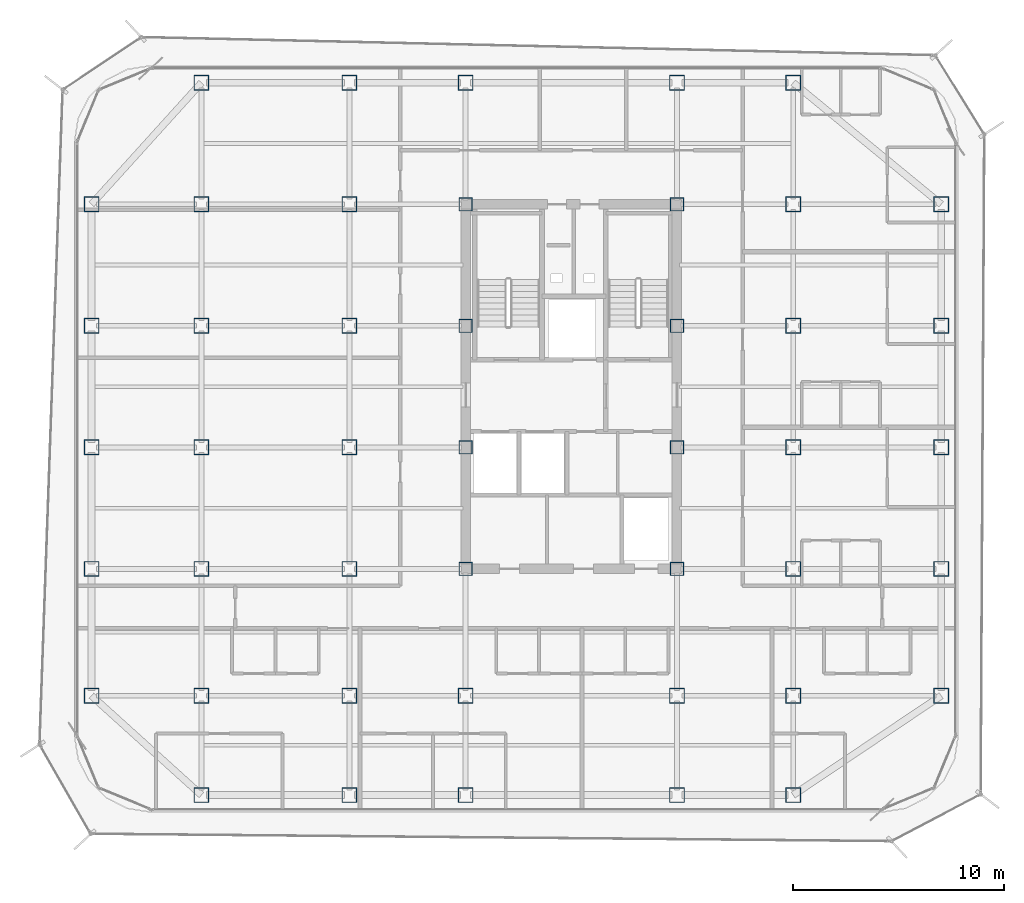
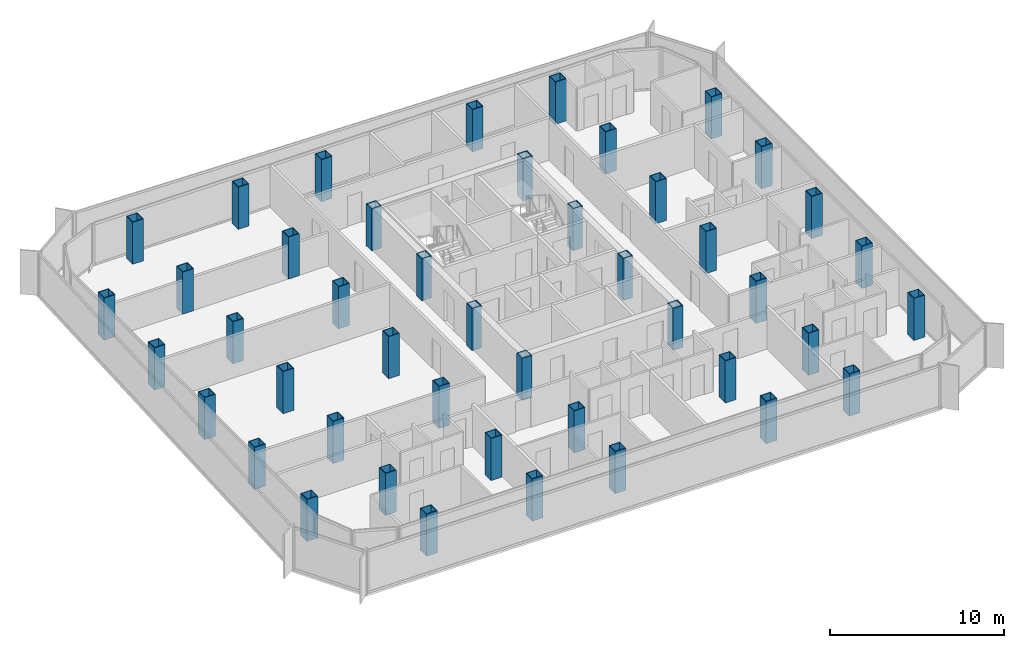
# One storey, part 1 of 16: 45 columns.
"""IFC4 building model written with IfcOpenShell, lengths in metres."""

from ifc_helpers import new_model, si_unit, direction, frame, origin, origin_2d, place, context, subcontext, project, spatial, hollow_rectangle, extrude, source, transform, mapped, material, material_profile, profile_set, type_object, element, save


model = new_model("IFC4")

# Units and contexts
model_context = context("Model", 3, precision=1e-05, world=origin(), true_north=direction((0.0, 1.0)))
body_context = subcontext(model_context, "Body", "Model", "MODEL_VIEW")
ifc_project = project(units=[si_unit("LENGTHUNIT", "METRE"), si_unit("AREAUNIT", "SQUARE_METRE"), si_unit("VOLUMEUNIT", "CUBIC_METRE"), si_unit("PLANEANGLEUNIT", "RADIAN"), si_unit("MASSUNIT", "GRAM", prefix="KILO")], contexts=[model_context])

# Site, building, storey
site_placement = place(None, origin())
site = spatial("IfcSite", under=ifc_project, at=site_placement, CompositionType="ELEMENT")
building_placement = place(site_placement, origin())
building = spatial("IfcBuilding", under=site, at=building_placement, Name="Kolveth Station Tower", CompositionType="ELEMENT")
storey_placement = place(building_placement, frame((0.0, 0.0, 178.5)))
storey = spatial("IfcBuildingStorey", under=building, at=storey_placement, Name="L50", CompositionType="ELEMENT", Elevation=178.5)

# Columns
ifc_material = material(Name="Steel S355", Category="steel")
ifc_material_profile_1 = material_profile(ifc_material, hollow_rectangle(XDim=0.719970703125, YDim=0.719970703125, WallThickness=0.0400390625, at=origin_2d()), Name="BOX720x720x40")
ifc_profile_set_1 = profile_set([ifc_material_profile_1], Name="Steel S355")
column_type_1 = type_object("IfcColumnType", Name="Col_C6", PredefinedType="COLUMN", material=ifc_profile_set_1)
shared_shape_1 = source(origin(), body_context, "Body", "SweptSolid", [
    extrude(hollow_rectangle(XDim=0.719970703125, YDim=0.719970703125, WallThickness=0.0400390625, at=origin_2d()), origin(), (0.0, 0.0, 1.0), 2.949951171875),
])
for number, where, z_axis, x_axis, name in (
    (1, (6.0, 0.800048828125, 0.0), (0.0, 0.0, 1.0), (1.0, 0.0, 0.0), "L50 Tower Column S-X60"),
    (2, (6.0, 34.5, 0.0), (0.0, 0.0, 1.0), (1.0, 0.0, 0.0), "L50 Tower Column N-X60"),
    (3, (13.0, 0.800048828125, 0.0), (0.0, 0.0, 1.0), (1.0, 0.0, 0.0), "L50 Tower Column S-X130"),
    (4, (13.0, 34.5, 0.0), (0.0, 0.0, 1.0), (1.0, 0.0, 0.0), "L50 Tower Column N-X130"),
    (5, (18.5, 0.800048828125, 0.0), (0.0, 0.0, 1.0), (1.0, 0.0, 0.0), "L50 Tower Column S-X185"),
    (6, (18.5, 34.5, 0.0), (0.0, 0.0, 1.0), (1.0, 0.0, 0.0), "L50 Tower Column N-X185"),
    (7, (28.5, 0.800048828125, 0.0), (0.0, 0.0, 1.0), (1.0, 0.0, 0.0), "L50 Tower Column S-X285"),
    (8, (28.5, 34.5, 0.0), (0.0, 0.0, 1.0), (1.0, 0.0, 0.0), "L50 Tower Column N-X285"),
    (9, (34.0, 0.800048828125, 0.0), (0.0, 0.0, 1.0), (1.0, 0.0, 0.0), "L50 Tower Column S-X340"),
    (10, (34.0, 34.5, 0.0), (0.0, 0.0, 1.0), (1.0, 0.0, 0.0), "L50 Tower Column N-X340"),
    (11, (0.800048828125, 5.5, 0.0), (0.0, 0.0, 1.0), (1.0, 0.0, 0.0), "L50 Tower Column W-Y55"),
    (12, (41.0, 5.5, 0.0), (0.0, 0.0, 1.0), (1.0, 0.0, 0.0), "L50 Tower Column E-Y55"),
    (13, (0.800048828125, 11.5, 0.0), (0.0, 0.0, 1.0), (1.0, 0.0, 0.0), "L50 Tower Column W-Y115"),
    (14, (41.0, 11.5, 0.0), (0.0, 0.0, 1.0), (1.0, 0.0, 0.0), "L50 Tower Column E-Y115"),
    (15, (0.800048828125, 17.25, 0.0), (0.0, 0.0, 1.0), (1.0, 0.0, 0.0), "L50 Tower Column W-Y172"),
    (16, (41.0, 17.25, 0.0), (0.0, 0.0, 1.0), (1.0, 0.0, 0.0), "L50 Tower Column E-Y172"),
    (17, (0.800048828125, 23.0, 0.0), (0.0, 0.0, 1.0), (1.0, 0.0, 0.0), "L50 Tower Column W-Y230"),
    (18, (41.0, 23.0, 0.0), (0.0, 0.0, 1.0), (1.0, 0.0, 0.0), "L50 Tower Column E-Y230"),
    (19, (0.800048828125, 28.75, 0.0), (0.0, 0.0, 1.0), (1.0, 0.0, 0.0), "L50 Tower Column W-Y287"),
    (20, (41.0, 28.75, 0.0), (0.0, 0.0, 1.0), (1.0, 0.0, 0.0), "L50 Tower Column E-Y287"),
    (21, (6.0, 5.5, 0.0), (0.0, 0.0, 1.0), (1.0, 0.0, 0.0), "L50 Tower Column G-60-55"),
    (22, (6.0, 11.5, 0.0), (0.0, 0.0, 1.0), (1.0, 0.0, 0.0), "L50 Tower Column G-60-115"),
    (23, (6.0, 17.25, 0.0), (0.0, 0.0, 1.0), (1.0, 0.0, 0.0), "L50 Tower Column G-60-172"),
    (24, (6.0, 23.0, 0.0), (0.0, 0.0, 1.0), (1.0, 0.0, 0.0), "L50 Tower Column G-60-230"),
    (25, (6.0, 28.75, 0.0), (0.0, 0.0, 1.0), (1.0, 0.0, 0.0), "L50 Tower Column G-60-287"),
    (26, (13.0, 5.5, 0.0), (0.0, 0.0, 1.0), (1.0, 0.0, 0.0), "L50 Tower Column G-130-55"),
    (27, (13.0, 11.5, 0.0), (0.0, 0.0, 1.0), (1.0, 0.0, 0.0), "L50 Tower Column G-130-115"),
    (28, (13.0, 17.25, 0.0), (0.0, 0.0, 1.0), (1.0, 0.0, 0.0), "L50 Tower Column G-130-172"),
    (29, (13.0, 23.0, 0.0), (0.0, 0.0, 1.0), (1.0, 0.0, 0.0), "L50 Tower Column G-130-230"),
    (30, (13.0, 28.75, 0.0), (0.0, 0.0, 1.0), (1.0, 0.0, 0.0), "L50 Tower Column G-130-287"),
    (31, (18.5, 5.5, 0.0), (0.0, 0.0, 1.0), (1.0, 0.0, 0.0), "L50 Tower Column G-185-55"),
    (32, (28.5, 5.5, 0.0), (0.0, 0.0, 1.0), (1.0, 0.0, 0.0), "L50 Tower Column G-285-55"),
    (33, (34.0, 5.5, 0.0), (0.0, 0.0, 1.0), (1.0, 0.0, 0.0), "L50 Tower Column G-340-55"),
    (34, (34.0, 11.5, 0.0), (0.0, 0.0, 1.0), (1.0, 0.0, 0.0), "L50 Tower Column G-340-115"),
    (35, (34.0, 17.25, 0.0), (0.0, 0.0, 1.0), (1.0, 0.0, 0.0), "L50 Tower Column G-340-172"),
    (36, (34.0, 23.0, 0.0), (0.0, 0.0, 1.0), (1.0, 0.0, 0.0), "L50 Tower Column G-340-230"),
    (37, (34.0, 28.75, 0.0), (0.0, 0.0, 1.0), (1.0, 0.0, 0.0), "L50 Tower Column G-340-287"),
):
    element("IfcColumn", number, at=place(storey_placement, frame(where, z_axis=z_axis, x_axis=x_axis)), inside=storey, type_object=column_type_1, Name=name, PredefinedType="COLUMN", context=body_context, shape_type="MappedRepresentation", body=[
        mapped(shared_shape_1, transform((0.0, 0.0, 0.0), x_axis=(1.0, 0.0, 0.0), y_axis=(0.0, 1.0, 0.0), z_axis=(0.0, 0.0, 1.0), scale=1.0)),
    ])
ifc_material_profile_2 = material_profile(ifc_material, hollow_rectangle(XDim=0.639892578125, YDim=0.639892578125, WallThickness=0.034912109375, at=origin_2d()), Name="BOX640x640x35")
ifc_profile_set_2 = profile_set([ifc_material_profile_2], Name="Steel S355")
column_type_2 = type_object("IfcColumnType", Name="Col_C7", PredefinedType="COLUMN", material=ifc_profile_set_2)
shared_shape_2 = source(origin(), body_context, "Body", "SweptSolid", [
    extrude(hollow_rectangle(XDim=0.639892578125, YDim=0.639892578125, WallThickness=0.034912109375, at=origin_2d()), origin(), (0.0, 0.0, 1.0), 2.949951171875),
])
for number, where, z_axis, x_axis, name in (
    (38, (18.5, 11.5, 0.0), (0.0, 0.0, 1.0), (1.0, 0.0, 0.0), "L50 Tower Column G-185-115"),
    (39, (18.5, 17.25, 0.0), (0.0, 0.0, 1.0), (1.0, 0.0, 0.0), "L50 Tower Column G-185-172"),
    (40, (18.5, 23.0, 0.0), (0.0, 0.0, 1.0), (1.0, 0.0, 0.0), "L50 Tower Column G-185-230"),
    (41, (18.5, 28.75, 0.0), (0.0, 0.0, 1.0), (1.0, 0.0, 0.0), "L50 Tower Column G-185-287"),
    (42, (28.5, 11.5, 0.0), (0.0, 0.0, 1.0), (1.0, 0.0, 0.0), "L50 Tower Column G-285-115"),
    (43, (28.5, 17.25, 0.0), (0.0, 0.0, 1.0), (1.0, 0.0, 0.0), "L50 Tower Column G-285-172"),
    (44, (28.5, 23.0, 0.0), (0.0, 0.0, 1.0), (1.0, 0.0, 0.0), "L50 Tower Column G-285-230"),
    (45, (28.5, 28.75, 0.0), (0.0, 0.0, 1.0), (1.0, 0.0, 0.0), "L50 Tower Column G-285-287"),
):
    element("IfcColumn", number, at=place(storey_placement, frame(where, z_axis=z_axis, x_axis=x_axis)), inside=storey, type_object=column_type_2, Name=name, PredefinedType="COLUMN", context=body_context, shape_type="MappedRepresentation", body=[
        mapped(shared_shape_2, transform((0.0, 0.0, 0.0), x_axis=(1.0, 0.0, 0.0), y_axis=(0.0, 1.0, 0.0), z_axis=(0.0, 0.0, 1.0), scale=1.0)),
    ])

save(model, "model.ifc")
